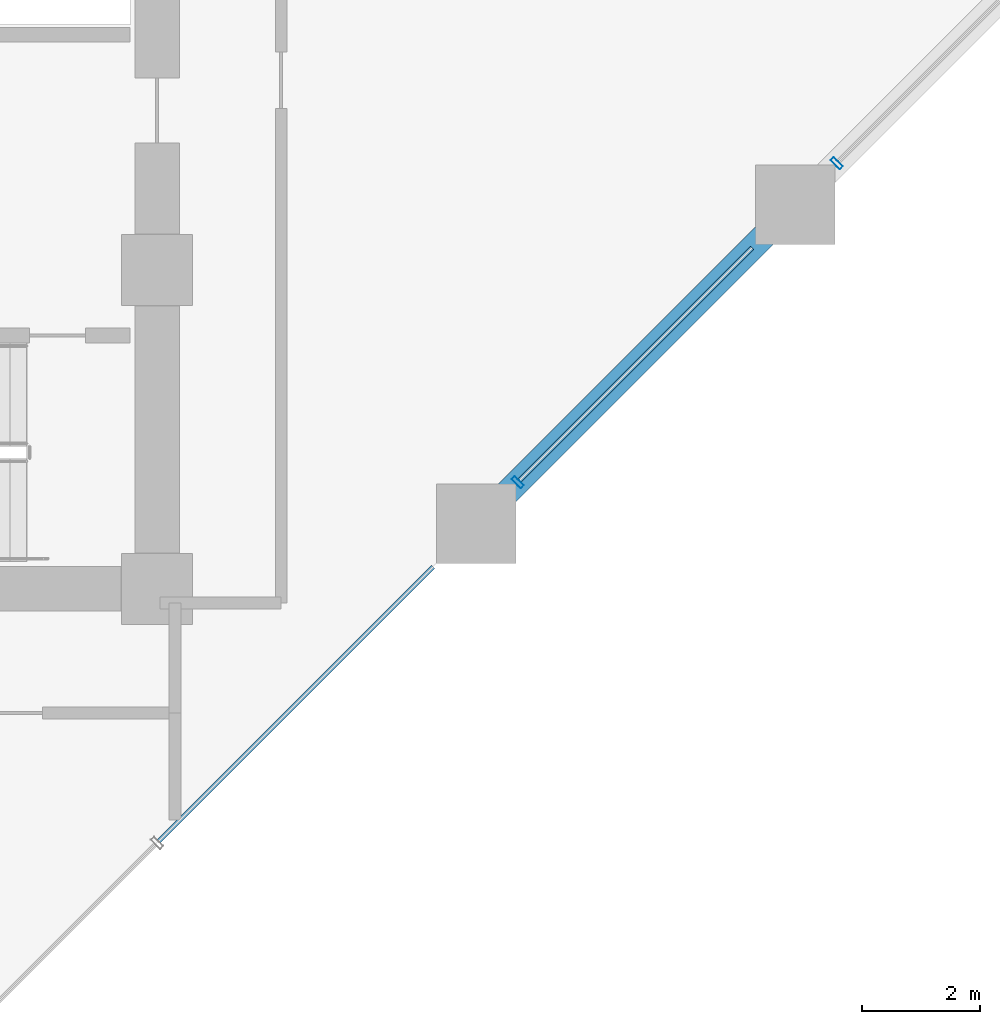
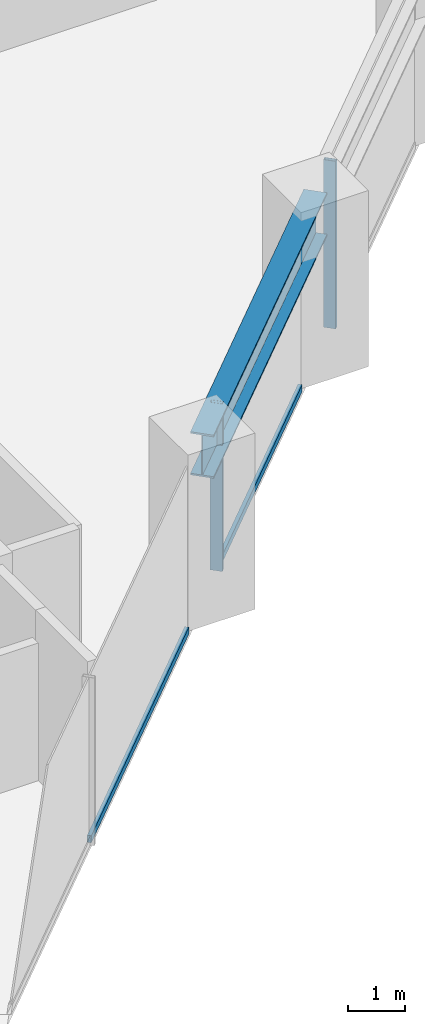
# One storey, part 8 of 25: 4 members, 1 beam, 1 element without a shape of its own.
"""IFC4 building model written with IfcOpenShell, lengths in metres."""

from ifc_helpers import new_model, si_unit, direction, frame, origin, origin_2d, place, context, subcontext, project, spatial, hollow_rectangle, i_section, extrude, material, layer, layer_set, material_profile, profile_set, type_object, element, aggregate, save


model = new_model("IFC4")

# Units and contexts
model_context = context("Model", 3, precision=1e-05, world=origin(), true_north=direction((0.0, 1.0)))
body_context = subcontext(model_context, "Body", "Model", "MODEL_VIEW")
ifc_project = project(units=[si_unit("LENGTHUNIT", "METRE"), si_unit("AREAUNIT", "SQUARE_METRE"), si_unit("VOLUMEUNIT", "CUBIC_METRE"), si_unit("PLANEANGLEUNIT", "RADIAN"), si_unit("MASSUNIT", "GRAM", prefix="KILO")], contexts=[model_context])

# Site, building, storey
site_placement = place(None, origin())
site = spatial("IfcSite", under=ifc_project, at=site_placement, CompositionType="ELEMENT")
building_placement = place(site_placement, origin())
building = spatial("IfcBuilding", under=site, at=building_placement, Name="Surkhivell Harbour Commons", CompositionType="ELEMENT")
storey_placement = place(building_placement, frame((0.0, 0.0, 52.5)))
storey = spatial("IfcBuildingStorey", under=building, at=storey_placement, Name="L13", CompositionType="ELEMENT", Elevation=52.5)

# Beam
ifc_material_1 = material(Name="Steel S460", Category="steel")
ifc_material_profile_1 = material_profile(ifc_material_1, i_section(OverallWidth=0.419921875, OverallDepth=0.9208984375, WebThickness=0.021484375, FlangeThickness=0.03662109375, at=origin_2d()), Name="UB914x419x388")
ifc_profile_set_1 = profile_set([ifc_material_profile_1], Name="Steel S460")
beam_type = type_object("IfcBeamType", Name="BM-SPN-914A", PredefinedType="SPANDREL", material=ifc_profile_set_1)
beam_placement = place(storey_placement, frame((16.199951171875, -9.699951171875, 3.109619140625), z_axis=(0.707122765516, 0.707090796496, 0.0), x_axis=(-0.707090796496, 0.707122765516, 0.0)))
element("IfcBeam", 1, at=beam_placement, inside=storey, type_object=beam_type, Name="L13 Tube Spandrel (16.2,-9.7)", PredefinedType="SPANDREL", context=body_context, shape_type="SweptSolid", body=[
    extrude(i_section(OverallWidth=0.419921875, OverallDepth=0.9208984375, WebThickness=0.021484375, FlangeThickness=0.03662109375, at=origin_2d()), origin(), (0.0, 0.0, 1.0), 7.63671875),
])

# Curtain wall, members
ifc_material_2 = material(Name="Anodised pale-metal aluminium and insulated glazing", Category="aluminium")
ifc_layer = layer(ifc_material_2, 0.219970703125)
ifc_layer_set = layer_set([ifc_layer], Name="Anodised pale-metal aluminium and insulated glazing")
curtain_wall_type = type_object("IfcCurtainWallType", Name="CW-SYS-Z1", PredefinedType="NOTDEFINED", material=ifc_layer_set)
curtain_wall_placement = place(storey_placement, origin())
curtain_wall = element("IfcCurtainWall", 2, at=curtain_wall_placement, inside=storey, type_object=curtain_wall_type, Name="L13 Curtain Wall CW-L13-E01", PredefinedType="NOTDEFINED")
ifc_material_3 = material(Name="Anodised pale-metal aluminium alloy 6063-T6", Category="aluminium")
ifc_material_profile_2 = material_profile(ifc_material_3, hollow_rectangle(XDim=0.074951171875, YDim=0.219970703125, WallThickness=0.00390625, at=origin_2d()), Name="ALU-MULL-75x220")
ifc_profile_set_2 = profile_set([ifc_material_profile_2], Name="Anodised pale-metal aluminium alloy 6063-T6")
member_type_1 = type_object("IfcMemberType", Name="CWM-220", PredefinedType="MULLION", material=ifc_profile_set_2)
member_1_placement = place(storey_placement, frame((16.9033203125, -8.99658203125, 0.0), z_axis=(0.0, 0.0, 1.0), x_axis=(0.707106781187, 0.707106781187, 0.0)))
member_1 = element("IfcMember", 3, at=member_1_placement, type_object=member_type_1, Name="CW-Z1 mullion 4", PredefinedType="MULLION", context=body_context, shape_type="SweptSolid", body=[
    extrude(hollow_rectangle(XDim=0.074951171875, YDim=0.219970703125, WallThickness=0.00390625, at=origin_2d()), origin(), (0.0, 0.0, 1.0), 3.570068359375),
])
member_2_placement = place(storey_placement, frame((22.30322265625, -3.5966796875, 0.0), z_axis=(0.0, 0.0, 1.0), x_axis=(0.707106781187, 0.707106781187, 0.0)))
member_2 = element("IfcMember", 4, at=member_2_placement, type_object=member_type_1, Name="CW-Z1 mullion 5", PredefinedType="MULLION", context=body_context, shape_type="SweptSolid", body=[
    extrude(hollow_rectangle(XDim=0.074951171875, YDim=0.219970703125, WallThickness=0.00390625, at=origin_2d()), origin(), (0.0, 0.0, 1.0), 3.570068359375),
])
ifc_material_profile_3 = material_profile(ifc_material_3, hollow_rectangle(XDim=0.074951171875, YDim=0.14990234375, WallThickness=0.00341796875, at=origin_2d()), Name="ALU-TRAN-75x150")
ifc_profile_set_3 = profile_set([ifc_material_profile_3], Name="Anodised pale-metal aluminium alloy 6063-T6")
member_type_2 = type_object("IfcMemberType", Name="CWT-150", PredefinedType="USERDEFINED", material=ifc_profile_set_3)
member_3_placement = place(storey_placement, frame((10.826416015625, -15.073486328125, 0.074951171875), z_axis=(0.70712536896, 0.707088192925, 0.0), x_axis=(-0.707088192925, 0.70712536896, 0.0)))
member_3 = element("IfcMember", 5, at=member_3_placement, type_object=member_type_2, Name="CW-Z1 transom 3.1", ObjectType="TRANSOM", PredefinedType="USERDEFINED", context=body_context, shape_type="SweptSolid", body=[
    extrude(hollow_rectangle(XDim=0.074951171875, YDim=0.14990234375, WallThickness=0.00341796875, at=origin_2d()), origin(), (0.0, 0.0, 1.0), 6.567138671875),
])
member_4_placement = place(storey_placement, frame((16.929931640625, -8.97021484375, 0.074951171875), z_axis=(0.707084874754, 0.70712868694, 0.0), x_axis=(-0.70712868694, 0.707084874754, 0.0)))
member_4 = element("IfcMember", 6, at=member_4_placement, type_object=member_type_2, Name="CW-Z1 transom 4.1", ObjectType="TRANSOM", PredefinedType="USERDEFINED", context=body_context, shape_type="SweptSolid", body=[
    extrude(hollow_rectangle(XDim=0.074951171875, YDim=0.14990234375, WallThickness=0.00341796875, at=origin_2d()), origin(), (0.0, 0.0, 1.0), 5.572509765625),
])
aggregate(curtain_wall, [member_3, member_1, member_4, member_2])

save(model, "model.ifc")
